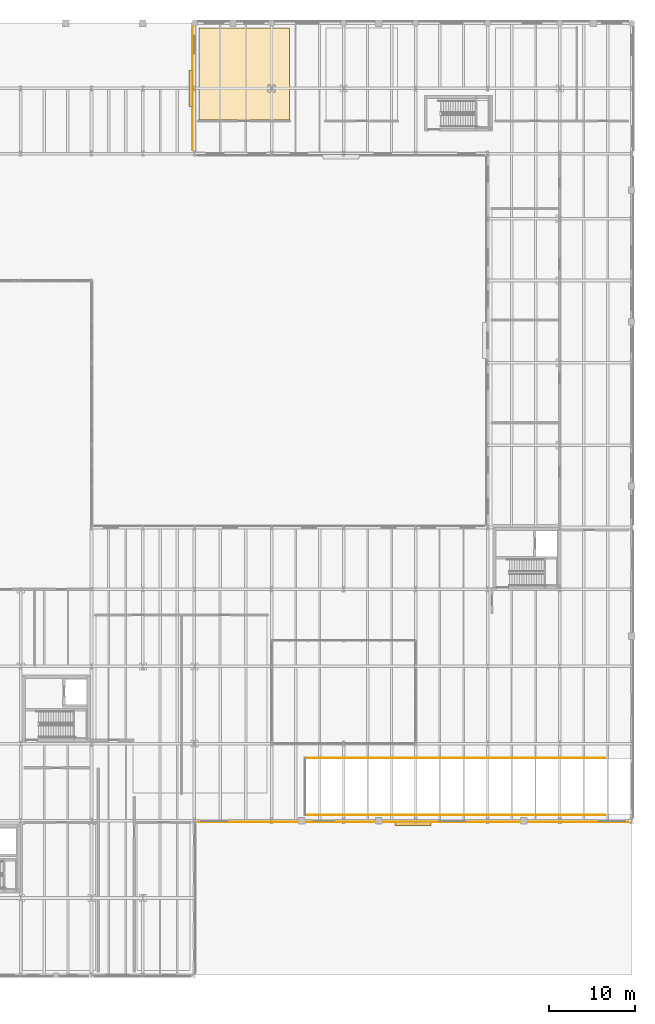
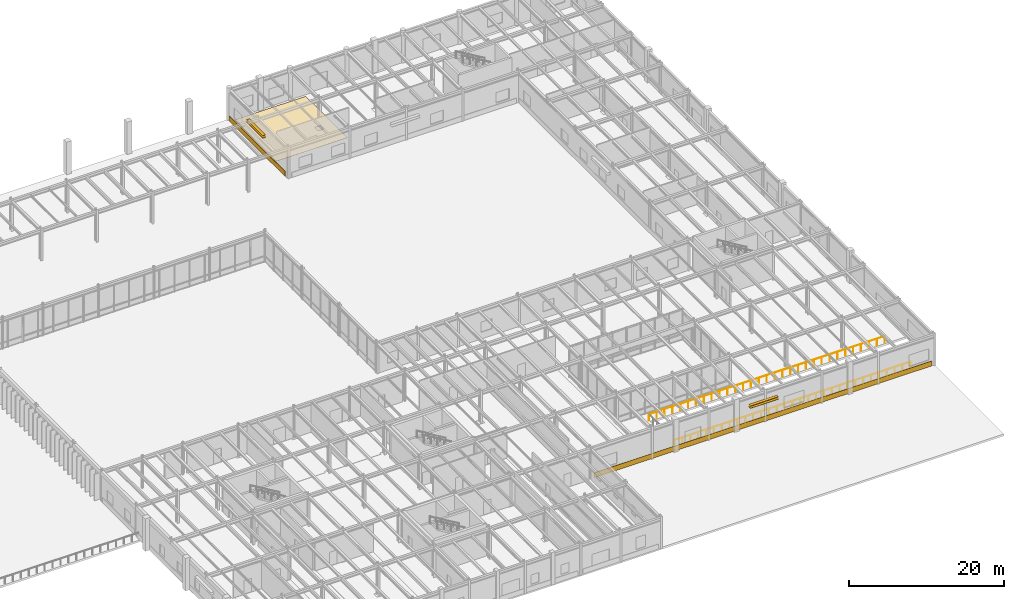
# One storey, part 60 of 64: 4 shading devices, 3 coverings, 2 railings.
"""IFC4 building model written with IfcOpenShell, lengths in metres."""

from ifc_helpers import new_model, si_unit, direction, frame, origin, origin_2d, place, context, subcontext, project, spatial, polyline, rectangle, circle, outline, extrude, material, layer, layer_set, type_object, element, save


model = new_model("IFC4")

# Units and contexts
model_context = context("Model", 3, precision=1e-05, world=origin(), true_north=direction((0.0, 1.0)))
body_context = subcontext(model_context, "Body", "Model", "MODEL_VIEW")
ifc_project = project(units=[si_unit("LENGTHUNIT", "METRE"), si_unit("AREAUNIT", "SQUARE_METRE"), si_unit("VOLUMEUNIT", "CUBIC_METRE"), si_unit("PLANEANGLEUNIT", "RADIAN"), si_unit("MASSUNIT", "GRAM", prefix="KILO")], contexts=[model_context])

# Site, building, storey
site_placement = place(None, origin())
site = spatial("IfcSite", under=ifc_project, at=site_placement, CompositionType="ELEMENT")
building_placement = place(site_placement, origin())
building = spatial("IfcBuilding", under=site, at=building_placement, Name="Montealbar Specialist Clinic", CompositionType="ELEMENT")
storey_placement = place(building_placement, origin())
storey = spatial("IfcBuildingStorey", under=building, at=storey_placement, Name="L00", CompositionType="ELEMENT", Elevation=0.0)

# Coverings
ifc_material_1 = material(Name="Guadarrama granite ashlar", Category="masonry")
ifc_layer_1 = layer(ifc_material_1, 0.06005859375, Name="Guadarrama granite ashlar", Category="masonry")
ifc_layer_set_1 = layer_set([ifc_layer_1], Name="Guadarrama granite ashlar")
covering_type_1 = type_object("IfcCoveringType", Name="COV-CLAD-GRANITE", PredefinedType="CLADDING", material=ifc_layer_set_1)
covering_1_placement = place(storey_placement, frame((110.797119140625, 103.39990234375, 0.02978515625), z_axis=(0.0, 0.0, 1.0), x_axis=(0.0, 1.0, 0.0)))
element("IfcCovering", 1, at=covering_1_placement, inside=storey, type_object=covering_type_1, Name="Facade Plinth Cladding Band L00-007", PredefinedType="CLADDING", context=body_context, shape_type="SweptSolid", body=[
    extrude(rectangle(XDim=14.39990234375, YDim=0.06005859375, at=origin_2d()), origin(), (0.0, 0.0, 1.0), 0.780029296875),
])
ifc_material_2 = material(Name="Terracotta architectural cladding", Category="masonry")
ifc_layer_2 = layer(ifc_material_2, 0.044921875, Name="Terracotta architectural cladding", Category="masonry")
ifc_layer_set_2 = layer_set([ifc_layer_2], Name="Terracotta architectural cladding")
covering_type_2 = type_object("IfcCoveringType", Name="COV-CLAD-TERRA", PredefinedType="CLADDING", material=ifc_layer_set_2)
covering_2_placement = place(storey_placement, frame((136.5, 17.84912109375, 0.02978515625), z_axis=(0.0, 0.0, 1.0), x_axis=(-1.0, 0.0, 0.0)))
element("IfcCovering", 2, at=covering_2_placement, inside=storey, type_object=covering_type_2, Name="Facade Plinth Cladding Band L00-012", PredefinedType="CLADDING", context=body_context, shape_type="SweptSolid", body=[
    extrude(rectangle(XDim=50.199951171875, YDim=0.044921875, at=origin_2d()), origin(), (0.0, 0.0, 1.0), 0.780029296875),
])
ifc_material_3 = material(Name="Antimicrobial clinical linoleum", Category="wood")
ifc_layer_3 = layer(ifc_material_3, 0.02001953125, Name="Antimicrobial clinical linoleum", Category="wood")
ifc_layer_set_3 = layer_set([ifc_layer_3], Name="Antimicrobial clinical linoleum")
covering_type_3 = type_object("IfcCoveringType", Name="COV-FLR-LINOLEUM", PredefinedType="FLOORING", material=ifc_layer_set_3)
covering_3_placement = place(storey_placement, origin())
element("IfcCovering", 3, at=covering_3_placement, inside=storey, type_object=covering_type_3, Name="Clinical Flooring Preventive Cardiology Screening Clinic", PredefinedType="FLOORING", context=body_context, shape_type="SweptSolid", body=[
    extrude(outline(polyline([(111.530029296875, 110.469970703125), (122.070068359375, 110.469970703125), (122.070068359375, 99.72998046875), (111.530029296875, 99.72998046875), (111.530029296875, 110.469970703125)]), holes=[polyline([(120.419921875, 103.820068359375), (119.580078125, 103.820068359375), (119.580078125, 102.97998046875), (120.419921875, 102.97998046875), (120.419921875, 103.820068359375)])]), origin(), (0.0, 0.0, 1.0), 0.02001953125),
])

# Railings
ifc_material_4 = material(Name="Steel S355", Category="steel")
ifc_layer_4 = layer(ifc_material_4, 0.06005859375, Name="Steel S355", Category="steel")
ifc_layer_set_4 = layer_set([ifc_layer_4], Name="Steel S355")
railing_type = type_object("IfcRailingType", Name="RAIL-EXT-BAL-1100", PredefinedType="BALUSTRADE", material=ifc_layer_set_4)
railing_1_placement = place(storey_placement, frame((123.8798828125, 18.679931640625, 0.0)))
element("IfcRailing", 4, at=railing_1_placement, inside=storey, type_object=railing_type, Name="Vehicle Ramp Pit Guard S", PredefinedType="BALUSTRADE", context=body_context, shape_type="SweptSolid", body=[
    extrude(circle(Radius=0.02392578125, at=origin_2d()), frame((0.0, 0.0, 1.09619140625), z_axis=(1.0, 0.0, 0.0), x_axis=(0.0, 1.0, 0.0)), (0.0, 0.0, 1.0), 35.02001953125),
    extrude(circle(Radius=0.02099609375, at=origin_2d()), frame((0.0, 0.0, -0.02490234375)), (0.0, 0.0, 1.0), 1.096923828125),
    extrude(circle(Radius=0.02099609375, at=origin_2d()), frame((1.167236328125, 0.0, -0.02490234375)), (0.0, 0.0, 1.0), 1.096923828125),
    extrude(circle(Radius=0.02099609375, at=origin_2d()), frame((2.334716796875, 0.0, -0.02490234375)), (0.0, 0.0, 1.0), 1.096923828125),
    extrude(circle(Radius=0.02099609375, at=origin_2d()), frame((3.501953125, 0.0, -0.02490234375)), (0.0, 0.0, 1.0), 1.096923828125),
    extrude(circle(Radius=0.02099609375, at=origin_2d()), frame((4.66943359375, 0.0, -0.02490234375)), (0.0, 0.0, 1.0), 1.096923828125),
    extrude(circle(Radius=0.02099609375, at=origin_2d()), frame((5.836669921875, 0.0, -0.02490234375)), (0.0, 0.0, 1.0), 1.096923828125),
    extrude(circle(Radius=0.02099609375, at=origin_2d()), frame((7.00390625, 0.0, -0.02490234375)), (0.0, 0.0, 1.0), 1.096923828125),
    extrude(circle(Radius=0.02099609375, at=origin_2d()), frame((8.17138671875, 0.0, -0.02490234375)), (0.0, 0.0, 1.0), 1.096923828125),
    extrude(circle(Radius=0.02099609375, at=origin_2d()), frame((9.338623046875, 0.0, -0.02490234375)), (0.0, 0.0, 1.0), 1.096923828125),
    extrude(circle(Radius=0.02099609375, at=origin_2d()), frame((10.506103515625, 0.0, -0.02490234375)), (0.0, 0.0, 1.0), 1.096923828125),
    extrude(circle(Radius=0.02099609375, at=origin_2d()), frame((11.67333984375, 0.0, -0.02490234375)), (0.0, 0.0, 1.0), 1.096923828125),
    extrude(circle(Radius=0.02099609375, at=origin_2d()), frame((12.840576171875, 0.0, -0.02490234375)), (0.0, 0.0, 1.0), 1.096923828125),
    extrude(circle(Radius=0.02099609375, at=origin_2d()), frame((14.008056640625, 0.0, -0.02490234375)), (0.0, 0.0, 1.0), 1.096923828125),
    extrude(circle(Radius=0.02099609375, at=origin_2d()), frame((15.17529296875, 0.0, -0.02490234375)), (0.0, 0.0, 1.0), 1.096923828125),
    extrude(circle(Radius=0.02099609375, at=origin_2d()), frame((16.3427734375, 0.0, -0.02490234375)), (0.0, 0.0, 1.0), 1.096923828125),
    extrude(circle(Radius=0.02099609375, at=origin_2d()), frame((17.510009765625, 0.0, -0.02490234375)), (0.0, 0.0, 1.0), 1.096923828125),
    extrude(circle(Radius=0.02099609375, at=origin_2d()), frame((18.67724609375, 0.0, -0.02490234375)), (0.0, 0.0, 1.0), 1.096923828125),
    extrude(circle(Radius=0.02099609375, at=origin_2d()), frame((19.8447265625, 0.0, -0.02490234375)), (0.0, 0.0, 1.0), 1.096923828125),
    extrude(circle(Radius=0.02099609375, at=origin_2d()), frame((21.011962890625, 0.0, -0.02490234375)), (0.0, 0.0, 1.0), 1.096923828125),
    extrude(circle(Radius=0.02099609375, at=origin_2d()), frame((22.179443359375, 0.0, -0.02490234375)), (0.0, 0.0, 1.0), 1.096923828125),
    extrude(circle(Radius=0.02099609375, at=origin_2d()), frame((23.3466796875, 0.0, -0.02490234375)), (0.0, 0.0, 1.0), 1.096923828125),
    extrude(circle(Radius=0.02099609375, at=origin_2d()), frame((24.513916015625, 0.0, -0.02490234375)), (0.0, 0.0, 1.0), 1.096923828125),
    extrude(circle(Radius=0.02099609375, at=origin_2d()), frame((25.681396484375, 0.0, -0.02490234375)), (0.0, 0.0, 1.0), 1.096923828125),
    extrude(circle(Radius=0.02099609375, at=origin_2d()), frame((26.8486328125, 0.0, -0.02490234375)), (0.0, 0.0, 1.0), 1.096923828125),
    extrude(circle(Radius=0.02099609375, at=origin_2d()), frame((28.01611328125, 0.0, -0.02490234375)), (0.0, 0.0, 1.0), 1.096923828125),
    extrude(circle(Radius=0.02099609375, at=origin_2d()), frame((29.183349609375, 0.0, -0.02490234375)), (0.0, 0.0, 1.0), 1.096923828125),
    extrude(circle(Radius=0.02099609375, at=origin_2d()), frame((30.3505859375, 0.0, -0.02490234375)), (0.0, 0.0, 1.0), 1.096923828125),
    extrude(circle(Radius=0.02099609375, at=origin_2d()), frame((31.51806640625, 0.0, -0.02490234375)), (0.0, 0.0, 1.0), 1.096923828125),
    extrude(circle(Radius=0.02099609375, at=origin_2d()), frame((32.685302734375, 0.0, -0.02490234375)), (0.0, 0.0, 1.0), 1.096923828125),
    extrude(circle(Radius=0.02099609375, at=origin_2d()), frame((33.852783203125, 0.0, -0.02490234375)), (0.0, 0.0, 1.0), 1.096923828125),
    extrude(circle(Radius=0.02099609375, at=origin_2d()), frame((35.02001953125, 0.0, -0.02490234375)), (0.0, 0.0, 1.0), 1.096923828125),
])
railing_2_placement = place(storey_placement, frame((123.8798828125, 25.320068359375, 0.0)))
element("IfcRailing", 5, at=railing_2_placement, inside=storey, type_object=railing_type, Name="Vehicle Ramp Pit Guard N", PredefinedType="BALUSTRADE", context=body_context, shape_type="SweptSolid", body=[
    extrude(circle(Radius=0.02392578125, at=origin_2d()), frame((0.0, 0.0, 1.09619140625), z_axis=(1.0, 0.0, 0.0), x_axis=(0.0, 1.0, 0.0)), (0.0, 0.0, 1.0), 35.02001953125),
    extrude(circle(Radius=0.02099609375, at=origin_2d()), frame((0.0, 0.0, -0.02490234375)), (0.0, 0.0, 1.0), 1.096923828125),
    extrude(circle(Radius=0.02099609375, at=origin_2d()), frame((1.167236328125, 0.0, -0.02490234375)), (0.0, 0.0, 1.0), 1.096923828125),
    extrude(circle(Radius=0.02099609375, at=origin_2d()), frame((2.334716796875, 0.0, -0.02490234375)), (0.0, 0.0, 1.0), 1.096923828125),
    extrude(circle(Radius=0.02099609375, at=origin_2d()), frame((3.501953125, 0.0, -0.02490234375)), (0.0, 0.0, 1.0), 1.096923828125),
    extrude(circle(Radius=0.02099609375, at=origin_2d()), frame((4.66943359375, 0.0, -0.02490234375)), (0.0, 0.0, 1.0), 1.096923828125),
    extrude(circle(Radius=0.02099609375, at=origin_2d()), frame((5.836669921875, 0.0, -0.02490234375)), (0.0, 0.0, 1.0), 1.096923828125),
    extrude(circle(Radius=0.02099609375, at=origin_2d()), frame((7.00390625, 0.0, -0.02490234375)), (0.0, 0.0, 1.0), 1.096923828125),
    extrude(circle(Radius=0.02099609375, at=origin_2d()), frame((8.17138671875, 0.0, -0.02490234375)), (0.0, 0.0, 1.0), 1.096923828125),
    extrude(circle(Radius=0.02099609375, at=origin_2d()), frame((9.338623046875, 0.0, -0.02490234375)), (0.0, 0.0, 1.0), 1.096923828125),
    extrude(circle(Radius=0.02099609375, at=origin_2d()), frame((10.506103515625, 0.0, -0.02490234375)), (0.0, 0.0, 1.0), 1.096923828125),
    extrude(circle(Radius=0.02099609375, at=origin_2d()), frame((11.67333984375, 0.0, -0.02490234375)), (0.0, 0.0, 1.0), 1.096923828125),
    extrude(circle(Radius=0.02099609375, at=origin_2d()), frame((12.840576171875, 0.0, -0.02490234375)), (0.0, 0.0, 1.0), 1.096923828125),
    extrude(circle(Radius=0.02099609375, at=origin_2d()), frame((14.008056640625, 0.0, -0.02490234375)), (0.0, 0.0, 1.0), 1.096923828125),
    extrude(circle(Radius=0.02099609375, at=origin_2d()), frame((15.17529296875, 0.0, -0.02490234375)), (0.0, 0.0, 1.0), 1.096923828125),
    extrude(circle(Radius=0.02099609375, at=origin_2d()), frame((16.3427734375, 0.0, -0.02490234375)), (0.0, 0.0, 1.0), 1.096923828125),
    extrude(circle(Radius=0.02099609375, at=origin_2d()), frame((17.510009765625, 0.0, -0.02490234375)), (0.0, 0.0, 1.0), 1.096923828125),
    extrude(circle(Radius=0.02099609375, at=origin_2d()), frame((18.67724609375, 0.0, -0.02490234375)), (0.0, 0.0, 1.0), 1.096923828125),
    extrude(circle(Radius=0.02099609375, at=origin_2d()), frame((19.8447265625, 0.0, -0.02490234375)), (0.0, 0.0, 1.0), 1.096923828125),
    extrude(circle(Radius=0.02099609375, at=origin_2d()), frame((21.011962890625, 0.0, -0.02490234375)), (0.0, 0.0, 1.0), 1.096923828125),
    extrude(circle(Radius=0.02099609375, at=origin_2d()), frame((22.179443359375, 0.0, -0.02490234375)), (0.0, 0.0, 1.0), 1.096923828125),
    extrude(circle(Radius=0.02099609375, at=origin_2d()), frame((23.3466796875, 0.0, -0.02490234375)), (0.0, 0.0, 1.0), 1.096923828125),
    extrude(circle(Radius=0.02099609375, at=origin_2d()), frame((24.513916015625, 0.0, -0.02490234375)), (0.0, 0.0, 1.0), 1.096923828125),
    extrude(circle(Radius=0.02099609375, at=origin_2d()), frame((25.681396484375, 0.0, -0.02490234375)), (0.0, 0.0, 1.0), 1.096923828125),
    extrude(circle(Radius=0.02099609375, at=origin_2d()), frame((26.8486328125, 0.0, -0.02490234375)), (0.0, 0.0, 1.0), 1.096923828125),
    extrude(circle(Radius=0.02099609375, at=origin_2d()), frame((28.01611328125, 0.0, -0.02490234375)), (0.0, 0.0, 1.0), 1.096923828125),
    extrude(circle(Radius=0.02099609375, at=origin_2d()), frame((29.183349609375, 0.0, -0.02490234375)), (0.0, 0.0, 1.0), 1.096923828125),
    extrude(circle(Radius=0.02099609375, at=origin_2d()), frame((30.3505859375, 0.0, -0.02490234375)), (0.0, 0.0, 1.0), 1.096923828125),
    extrude(circle(Radius=0.02099609375, at=origin_2d()), frame((31.51806640625, 0.0, -0.02490234375)), (0.0, 0.0, 1.0), 1.096923828125),
    extrude(circle(Radius=0.02099609375, at=origin_2d()), frame((32.685302734375, 0.0, -0.02490234375)), (0.0, 0.0, 1.0), 1.096923828125),
    extrude(circle(Radius=0.02099609375, at=origin_2d()), frame((33.852783203125, 0.0, -0.02490234375)), (0.0, 0.0, 1.0), 1.096923828125),
    extrude(circle(Radius=0.02099609375, at=origin_2d()), frame((35.02001953125, 0.0, -0.02490234375)), (0.0, 0.0, 1.0), 1.096923828125),
])

# Shading devices
ifc_material_5 = material(Name="Powder-coated aluminium", Category="aluminium")
ifc_layer_5 = layer(ifc_material_5, 0.050048828125, Name="Powder-coated aluminium", Category="aluminium")
ifc_layer_set_5 = layer_set([ifc_layer_5], Name="Powder-coated aluminium")
shading_device_type = type_object("IfcShadingDeviceType", Name="SHD-LOUVRE-450", PredefinedType="JALOUSIE", material=ifc_layer_set_5)
for number, where, z_axis, x_axis, name in (
    (6, (110.60498046875, 103.39990234375, 3.0751953125), (0.0, 0.0, 1.0), (0.0, 1.0, 0.0), "Entrance Canopy Sun Louvre LV-09"),
    (7, (110.60498046875, 103.39990234375, 3.4248046875), (0.0, 0.0, 1.0), (0.0, 1.0, 0.0), "Entrance Canopy Sun Louvre LV-10"),
    (8, (136.5, 17.64990234375, 3.0751953125), (0.0, 0.0, 1.0), (-1.0, 0.0, 0.0), "Entrance Canopy Sun Louvre LV-11"),
    (9, (136.5, 17.64990234375, 3.4248046875), (0.0, 0.0, 1.0), (-1.0, 0.0, 0.0), "Entrance Canopy Sun Louvre LV-12"),
):
    element("IfcShadingDevice", number, at=place(storey_placement, frame(where, z_axis=z_axis, x_axis=x_axis)), inside=storey, type_object=shading_device_type, Name=name, PredefinedType="JALOUSIE", context=body_context, shape_type="SweptSolid", body=[
        extrude(rectangle(XDim=4.199951171875, YDim=0.449951171875, at=origin_2d()), origin(), (0.0, 0.0, 1.0), 0.050048828125),
    ])

save(model, "model.ifc")
